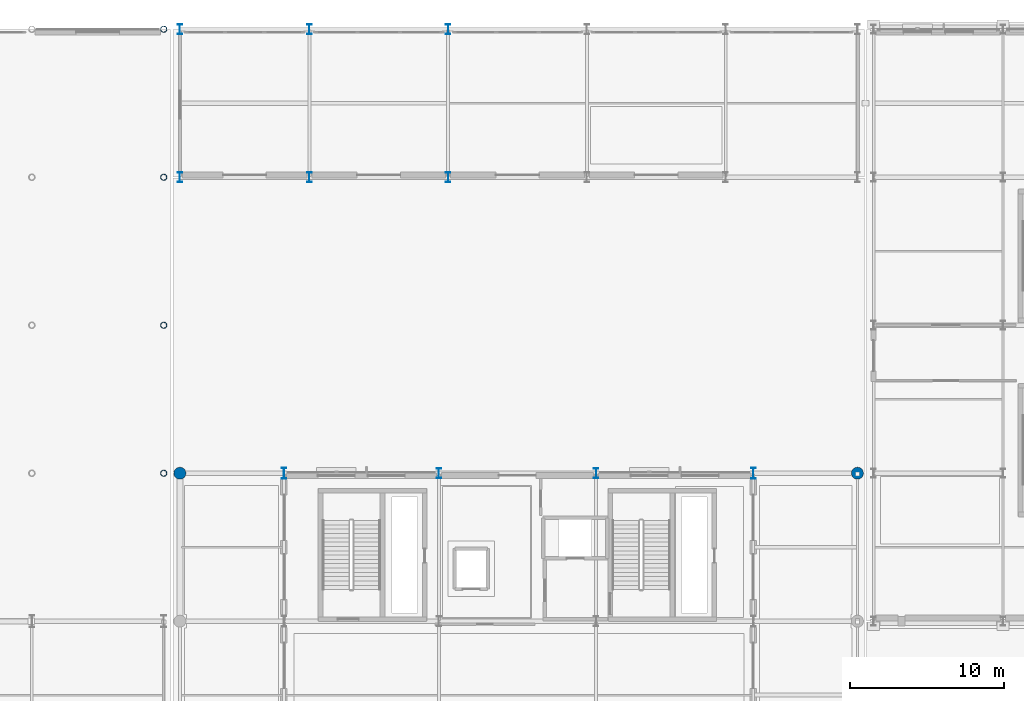
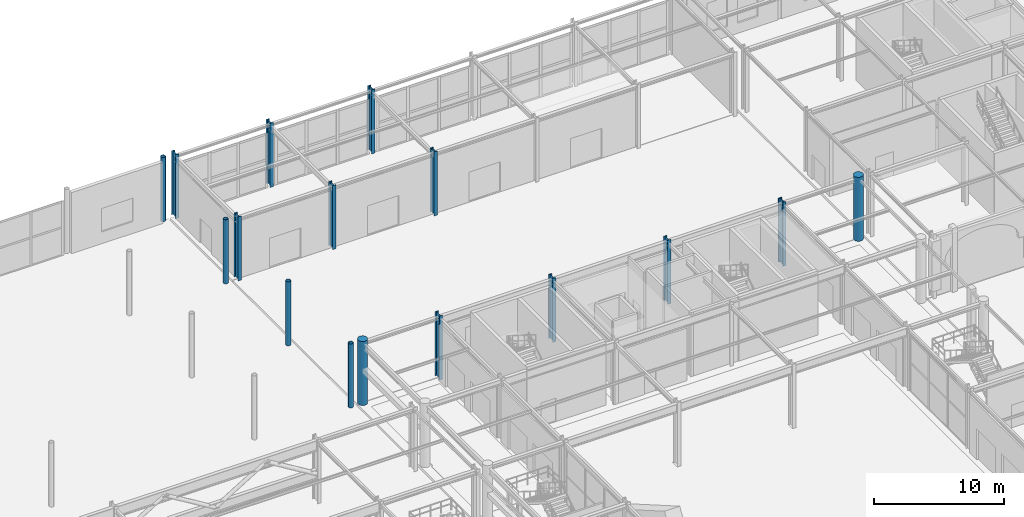
# One storey, part 16 of 113: 16 columns.
"""IFC4 building model written with IfcOpenShell, lengths in metres."""

from ifc_helpers import new_model, si_unit, direction, frame, origin, origin_2d, place, context, subcontext, project, spatial, circle, hollow_circle, i_section, extrude, material, material_profile, profile_set, type_object, element, save


model = new_model("IFC4")

# Units and contexts
model_context = context("Model", 3, precision=1e-05, world=origin(), true_north=direction((0.0, 1.0)))
body_context = subcontext(model_context, "Body", "Model", "MODEL_VIEW")
ifc_project = project(units=[si_unit("LENGTHUNIT", "METRE"), si_unit("AREAUNIT", "SQUARE_METRE"), si_unit("VOLUMEUNIT", "CUBIC_METRE"), si_unit("PLANEANGLEUNIT", "RADIAN"), si_unit("MASSUNIT", "GRAM", prefix="KILO")], contexts=[model_context])

# Site, building, storey
site_placement = place(None, origin())
site = spatial("IfcSite", under=ifc_project, at=site_placement, CompositionType="ELEMENT")
building_placement = place(site_placement, origin())
building = spatial("IfcBuilding", under=site, at=building_placement, Name="Myrtia Square Station", CompositionType="ELEMENT")
storey_placement = place(building_placement, origin())
storey = spatial("IfcBuildingStorey", under=building, at=storey_placement, Name="L00", CompositionType="ELEMENT", Elevation=0.0)

# Columns
ifc_material_1 = material(Name="Steel S355", Category="steel")
ifc_material_profile_1 = material_profile(ifc_material_1, hollow_circle(Radius=0.203125, WallThickness=0.02001953125, at=origin_2d()), Name="CHS 406.4x20")
ifc_profile_set_1 = profile_set([ifc_material_profile_1], Name="Steel S355")
column_type_1 = type_object("IfcColumnType", Name="COL-CHS406", PredefinedType="COLUMN", material=ifc_profile_set_1)
for number, where, z_axis, x_axis, name in (
    (1, (71.550048828125, 96.0, 0.0), (0.0, 0.0, 1.0), (1.0, 0.0, 0.0), "Column L00-0230"),
    (2, (71.550048828125, 105.60009765625, 0.0), (0.0, 0.0, 1.0), (1.0, 0.0, 0.0), "Column L00-0233"),
    (3, (71.550048828125, 115.199951171875, 0.0), (0.0, 0.0, 1.0), (1.0, 0.0, 0.0), "Column L00-0236"),
    (4, (71.550048828125, 124.800048828125, 0.0), (0.0, 0.0, 1.0), (1.0, 0.0, 0.0), "Column L00-0239"),
):
    element("IfcColumn", number, at=place(storey_placement, frame(where, z_axis=z_axis, x_axis=x_axis)), inside=storey, type_object=column_type_1, Name=name, PredefinedType="COLUMN", context=body_context, shape_type="SweptSolid", body=[
        extrude(hollow_circle(Radius=0.203125, WallThickness=0.02001953125, at=origin_2d()), origin(), (0.0, 0.0, 1.0), 6.0),
    ])
ifc_material_profile_2 = material_profile(ifc_material_1, i_section(OverallWidth=0.300048828125, OverallDepth=0.639892578125, WebThickness=0.013427734375, FlangeThickness=0.02587890625, FilletRadius=0.027099609375, at=origin_2d()), Name="HEA 650")
ifc_profile_set_2 = profile_set([ifc_material_profile_2], Name="Steel S355")
column_type_2 = type_object("IfcColumnType", Name="COL-HEA650", PredefinedType="COLUMN", material=ifc_profile_set_2)
for number, where, z_axis, x_axis, name in (
    (5, (89.39990234375, 96.0, 0.0), (0.0, 0.0, 1.0), (1.0, 0.0, 0.0), "Column L00-0445"),
    (6, (99.60009765625, 96.0, 0.0), (0.0, 0.0, 1.0), (1.0, 0.0, 0.0), "Column L00-0477"),
    (7, (72.60009765625, 115.199951171875, 0.0), (0.0, 0.0, 1.0), (1.0, 0.0, 0.0), "Column L00-0736"),
    (8, (72.60009765625, 124.800048828125, 0.0), (0.0, 0.0, 1.0), (1.0, 0.0, 0.0), "Column L00-0738"),
    (9, (81.0, 115.199951171875, 0.0), (0.0, 0.0, 1.0), (1.0, 0.0, 0.0), "Column L00-0740"),
    (10, (81.0, 124.800048828125, 0.0), (0.0, 0.0, 1.0), (1.0, 0.0, 0.0), "Column L00-0742"),
    (11, (90.0, 115.199951171875, 0.0), (0.0, 0.0, 1.0), (1.0, 0.0, 0.0), "Column L00-0744"),
    (12, (90.0, 124.800048828125, 0.0), (0.0, 0.0, 1.0), (1.0, 0.0, 0.0), "Column L00-0746"),
):
    element("IfcColumn", number, at=place(storey_placement, frame(where, z_axis=z_axis, x_axis=x_axis)), inside=storey, type_object=column_type_2, Name=name, PredefinedType="COLUMN", context=body_context, shape_type="SweptSolid", body=[
        extrude(i_section(OverallWidth=0.300048828125, OverallDepth=0.639892578125, WebThickness=0.013427734375, FlangeThickness=0.02587890625, FilletRadius=0.027099609375, at=origin_2d()), origin(), (0.0, 0.0, 1.0), 6.0),
    ])
ifc_material_profile_3 = material_profile(ifc_material_1, i_section(OverallWidth=0.300048828125, OverallDepth=0.699951171875, WebThickness=0.01708984375, FlangeThickness=0.031982421875, FilletRadius=0.027099609375, at=origin_2d()), Name="HEB 700")
ifc_profile_set_3 = profile_set([ifc_material_profile_3], Name="Steel S355")
column_type_3 = type_object("IfcColumnType", Name="COL-HEB700", PredefinedType="COLUMN", material=ifc_profile_set_3)
for number, where, z_axis, x_axis, name in (
    (13, (79.35009765625, 96.0, 0.0), (0.0, 0.0, 1.0), (1.0, 0.0, 0.0), "Column L00-0406"),
    (14, (109.800048828125, 96.0, 0.0), (0.0, 0.0, 1.0), (1.0, 0.0, 0.0), "Column L00-0412"),
):
    element("IfcColumn", number, at=place(storey_placement, frame(where, z_axis=z_axis, x_axis=x_axis)), inside=storey, type_object=column_type_3, Name=name, PredefinedType="COLUMN", context=body_context, shape_type="SweptSolid", body=[
        extrude(i_section(OverallWidth=0.300048828125, OverallDepth=0.699951171875, WebThickness=0.01708984375, FlangeThickness=0.031982421875, FilletRadius=0.027099609375, at=origin_2d()), origin(), (0.0, 0.0, 1.0), 6.0),
    ])
ifc_material_2 = material(Name="Concrete C40/50", Category="concrete")
ifc_material_profile_4 = material_profile(ifc_material_2, circle(Radius=0.389892578125, at=origin_2d()), Name="RC D780")
ifc_profile_set_4 = profile_set([ifc_material_profile_4], Name="Concrete C40/50")
column_type_4 = type_object("IfcColumnType", Name="COL-RCD780", PredefinedType="COLUMN", material=ifc_profile_set_4)
for number, where, z_axis, x_axis, name in (
    (15, (72.60009765625, 96.0, 0.0), (0.0, 0.0, 1.0), (1.0, 0.0, 0.0), "Column L00-0396"),
    (16, (116.550048828125, 96.0, 0.0), (0.0, 0.0, 1.0), (1.0, 0.0, 0.0), "Column L00-0401"),
):
    element("IfcColumn", number, at=place(storey_placement, frame(where, z_axis=z_axis, x_axis=x_axis)), inside=storey, type_object=column_type_4, Name=name, PredefinedType="COLUMN", context=body_context, shape_type="SweptSolid", body=[
        extrude(circle(Radius=0.389892578125, at=origin_2d()), origin(), (0.0, 0.0, 1.0), 6.0),
    ])

save(model, "model.ifc")
